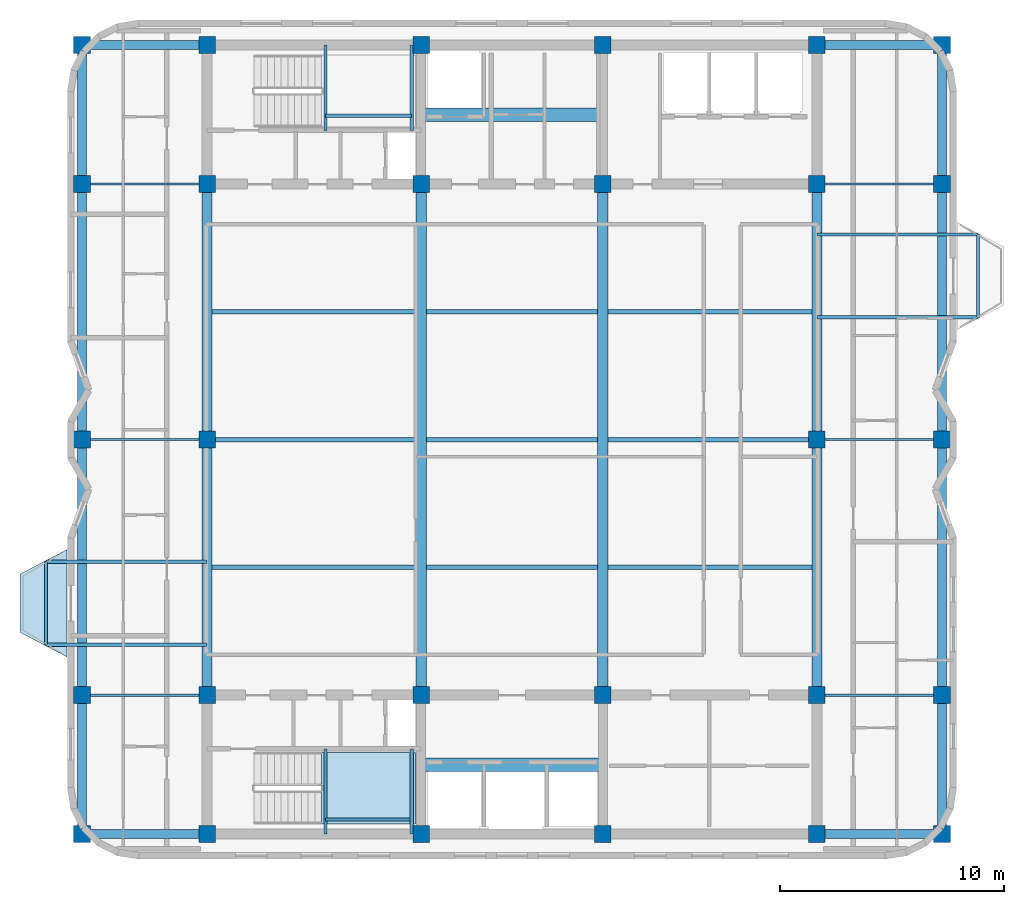
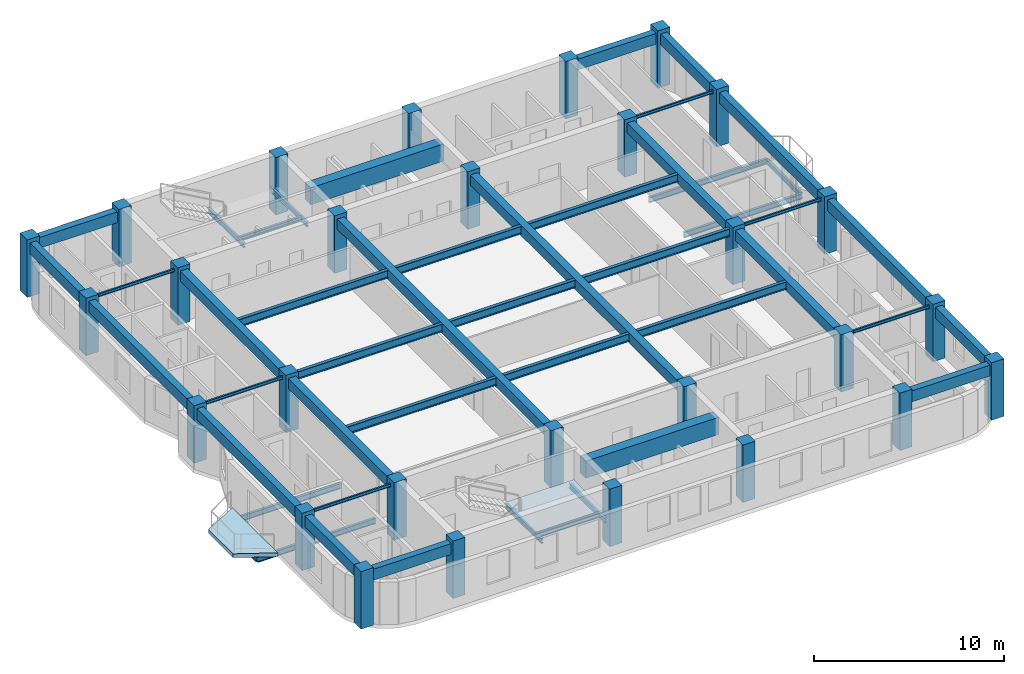
# One storey, part 1 of 9: 47 beams, 28 columns, 2 slabs, 1 element without a shape of its own.
"""IFC4 building model written with IfcOpenShell, lengths in metres."""

from ifc_helpers import new_model, si_unit, direction, frame, origin, origin_2d, place, context, subcontext, project, spatial, polyline, rectangle, i_section, outline, extrude, material, layer, layer_set, material_profile, profile_set, type_object, element, aggregate, save


model = new_model("IFC4")

# Units and contexts
model_context = context("Model", 3, precision=1e-05, world=origin(), true_north=direction((0.0, 1.0)))
body_context = subcontext(model_context, "Body", "Model", "MODEL_VIEW")
ifc_project = project(units=[si_unit("LENGTHUNIT", "METRE"), si_unit("AREAUNIT", "SQUARE_METRE"), si_unit("VOLUMEUNIT", "CUBIC_METRE"), si_unit("PLANEANGLEUNIT", "RADIAN"), si_unit("MASSUNIT", "GRAM", prefix="KILO")], contexts=[model_context])

# Site, building, storey
site_placement = place(None, origin())
site = spatial("IfcSite", under=ifc_project, at=site_placement, CompositionType="ELEMENT")
building_placement = place(site_placement, origin())
building = spatial("IfcBuilding", under=site, at=building_placement, Name="Svetorya Sky Lyceum", CompositionType="ELEMENT")
storey_placement = place(building_placement, frame((0.0, 0.0, 267.60009765625)))
storey = spatial("IfcBuildingStorey", under=building, at=storey_placement, Name="L67", CompositionType="ELEMENT", Elevation=267.60009765625)

# Columns
ifc_material_1 = material(Name="Concrete C40/50", Category="concrete")
ifc_material_profile_1 = material_profile(ifc_material_1, rectangle(XDim=0.75, YDim=0.75, at=origin_2d()), Name="RC COL 750x750")
ifc_profile_set_1 = profile_set([ifc_material_profile_1], Name="Concrete C40/50")
column_type = type_object("IfcColumnType", Name="COL-RC-750", PredefinedType="COLUMN", material=ifc_profile_set_1)
for number, where, z_axis, x_axis, name in (
    (1, (25.60009765625, 10.60009765625, 0.0), (0.0, 0.0, 1.0), (1.0, 0.0, 0.0), "L67 Core Column CS-11"),
    (2, (25.60009765625, 16.800048828125, 0.0), (0.0, 0.0, 1.0), (1.0, 0.0, 0.0), "L67 Core Column CS-12"),
    (3, (35.14990234375, 10.60009765625, 0.0), (0.0, 0.0, 1.0), (1.0, 0.0, 0.0), "L67 Core Column CS-21"),
    (4, (35.14990234375, 16.800048828125, 0.0), (0.0, 0.0, 1.0), (1.0, 0.0, 0.0), "L67 Core Column CS-22"),
    (5, (43.25, 10.60009765625, 0.0), (0.0, 0.0, 1.0), (1.0, 0.0, 0.0), "L67 Core Column CS-31"),
    (6, (43.25, 16.800048828125, 0.0), (0.0, 0.0, 1.0), (1.0, 0.0, 0.0), "L67 Core Column CS-32"),
    (7, (52.800048828125, 10.60009765625, 0.0), (0.0, 0.0, 1.0), (1.0, 0.0, 0.0), "L67 Core Column CS-41"),
    (8, (52.800048828125, 16.800048828125, 0.0), (0.0, 0.0, 1.0), (1.0, 0.0, 0.0), "L67 Core Column CS-42"),
    (9, (25.60009765625, 39.60009765625, 0.0), (0.0, 0.0, 1.0), (1.0, 0.0, 0.0), "L67 Core Column CN-11"),
    (10, (25.60009765625, 45.800048828125, 0.0), (0.0, 0.0, 1.0), (1.0, 0.0, 0.0), "L67 Core Column CN-12"),
    (11, (35.14990234375, 39.60009765625, 0.0), (0.0, 0.0, 1.0), (1.0, 0.0, 0.0), "L67 Core Column CN-21"),
    (12, (35.14990234375, 45.800048828125, 0.0), (0.0, 0.0, 1.0), (1.0, 0.0, 0.0), "L67 Core Column CN-22"),
    (13, (43.25, 39.60009765625, 0.0), (0.0, 0.0, 1.0), (1.0, 0.0, 0.0), "L67 Core Column CN-31"),
    (14, (43.25, 45.800048828125, 0.0), (0.0, 0.0, 1.0), (1.0, 0.0, 0.0), "L67 Core Column CN-32"),
    (15, (52.800048828125, 39.60009765625, 0.0), (0.0, 0.0, 1.0), (1.0, 0.0, 0.0), "L67 Core Column CN-41"),
    (16, (52.800048828125, 45.800048828125, 0.0), (0.0, 0.0, 1.0), (1.0, 0.0, 0.0), "L67 Core Column CN-42"),
    (17, (25.60009765625, 28.199951171875, 0.0), (0.0, 0.0, 1.0), (1.0, 0.0, 0.0), "L67 Core Column CM-W"),
    (18, (52.800048828125, 28.199951171875, 0.0), (0.0, 0.0, 1.0), (1.0, 0.0, 0.0), "L67 Core Column CM-E"),
    (19, (20.010009765625, 10.60009765625, 0.0), (0.0, 0.0, 1.0), (1.0, 0.0, 0.0), "L67 Perimeter Column W1"),
    (20, (58.389892578125, 10.60009765625, 0.0), (0.0, 0.0, 1.0), (1.0, 0.0, 0.0), "L67 Perimeter Column E1"),
    (21, (20.010009765625, 16.800048828125, 0.0), (0.0, 0.0, 1.0), (1.0, 0.0, 0.0), "L67 Perimeter Column W2"),
    (22, (58.389892578125, 16.800048828125, 0.0), (0.0, 0.0, 1.0), (1.0, 0.0, 0.0), "L67 Perimeter Column E2"),
    (23, (20.010009765625, 28.199951171875, 0.0), (0.0, 0.0, 1.0), (1.0, 0.0, 0.0), "L67 Perimeter Column W3"),
    (24, (58.389892578125, 28.199951171875, 0.0), (0.0, 0.0, 1.0), (1.0, 0.0, 0.0), "L67 Perimeter Column E3"),
    (25, (20.010009765625, 39.60009765625, 0.0), (0.0, 0.0, 1.0), (1.0, 0.0, 0.0), "L67 Perimeter Column W4"),
    (26, (58.389892578125, 39.60009765625, 0.0), (0.0, 0.0, 1.0), (1.0, 0.0, 0.0), "L67 Perimeter Column E4"),
    (27, (20.010009765625, 45.800048828125, 0.0), (0.0, 0.0, 1.0), (1.0, 0.0, 0.0), "L67 Perimeter Column W5"),
    (28, (58.389892578125, 45.800048828125, 0.0), (0.0, 0.0, 1.0), (1.0, 0.0, 0.0), "L67 Perimeter Column E5"),
):
    element("IfcColumn", number, at=place(storey_placement, frame(where, z_axis=z_axis, x_axis=x_axis)), inside=storey, type_object=column_type, Name=name, PredefinedType="COLUMN", context=body_context, shape_type="SweptSolid", body=[
        extrude(rectangle(XDim=0.75, YDim=0.75, at=origin_2d()), origin(), (0.0, 0.0, 1.0), 3.699951171875),
    ])

# Beams
ifc_material_2 = material(Name="Concrete C60/75", Category="concrete")
ifc_material_profile_2 = material_profile(ifc_material_2, rectangle(XDim=0.60009765625, YDim=1.10009765625, at=origin_2d()), Name="RC COUPLING 600x1100")
ifc_profile_set_2 = profile_set([ifc_material_profile_2], Name="Concrete C60/75")
beam_type_1 = type_object("IfcBeamType", Name="BM-CPL-1100", PredefinedType="LINTEL", material=ifc_profile_set_2)
for number, where, z_axis, x_axis, name in (
    (29, (35.14990234375, 13.699951171875, 2.89990234375), (1.0, 0.0, 0.0), (0.0, 1.0, 0.0), "L67 SC Core Coupling Beam"),
    (30, (35.14990234375, 42.699951171875, 2.89990234375), (1.0, 0.0, 0.0), (0.0, 1.0, 0.0), "L67 NC Core Coupling Beam"),
):
    element("IfcBeam", number, at=place(storey_placement, frame(where, z_axis=z_axis, x_axis=x_axis)), inside=storey, type_object=beam_type_1, Name=name, PredefinedType="LINTEL", context=body_context, shape_type="SweptSolid", body=[
        extrude(rectangle(XDim=0.60009765625, YDim=1.10009765625, at=origin_2d()), origin(), (0.0, 0.0, 1.0), 8.10009765625),
    ])
ifc_material_profile_3 = material_profile(ifc_material_1, rectangle(XDim=0.449951171875, YDim=0.64990234375, at=origin_2d()), Name="RC BEAM 450x650")
ifc_profile_set_3 = profile_set([ifc_material_profile_3], Name="Concrete C40/50")
beam_type_2 = type_object("IfcBeamType", Name="BM-RC-650", PredefinedType="BEAM", material=ifc_profile_set_3)
beam_1_placement = place(storey_placement, frame((25.60009765625, 16.800048828125, 3.125), z_axis=(0.0, 1.0, 0.0), x_axis=(-1.0, 0.0, 0.0)))
element("IfcBeam", 31, at=beam_1_placement, inside=storey, type_object=beam_type_2, Name="L67 Central Bay Primary Girder CG-1A", PredefinedType="BEAM", context=body_context, shape_type="SweptSolid", body=[
    extrude(rectangle(XDim=0.449951171875, YDim=0.64990234375, at=origin_2d()), origin(), (0.0, 0.0, 1.0), 11.39990234375),
])
beam_2_placement = place(storey_placement, frame((25.60009765625, 28.199951171875, 3.125), z_axis=(0.0, 1.0, 0.0), x_axis=(-1.0, 0.0, 0.0)))
element("IfcBeam", 32, at=beam_2_placement, inside=storey, type_object=beam_type_2, Name="L67 Central Bay Primary Girder CG-1B", PredefinedType="BEAM", context=body_context, shape_type="SweptSolid", body=[
    extrude(rectangle(XDim=0.449951171875, YDim=0.64990234375, at=origin_2d()), origin(), (0.0, 0.0, 1.0), 11.400146484375),
])
for number, where, z_axis, x_axis, name in (
    (33, (35.14990234375, 16.800048828125, 3.125), (0.0, 1.0, 0.0), (-1.0, 0.0, 0.0), "L67 Central Bay Primary Girder CG-2"),
    (34, (43.25, 16.800048828125, 3.125), (0.0, 1.0, 0.0), (-1.0, 0.0, 0.0), "L67 Central Bay Primary Girder CG-3"),
):
    element("IfcBeam", number, at=place(storey_placement, frame(where, z_axis=z_axis, x_axis=x_axis)), inside=storey, type_object=beam_type_2, Name=name, PredefinedType="BEAM", context=body_context, shape_type="SweptSolid", body=[
        extrude(rectangle(XDim=0.449951171875, YDim=0.64990234375, at=origin_2d()), origin(), (0.0, 0.0, 1.0), 22.800048828125),
    ])
beam_3_placement = place(storey_placement, frame((52.800048828125, 16.800048828125, 3.125), z_axis=(0.0, 1.0, 0.0), x_axis=(-1.0, 0.0, 0.0)))
element("IfcBeam", 35, at=beam_3_placement, inside=storey, type_object=beam_type_2, Name="L67 Central Bay Primary Girder CG-4A", PredefinedType="BEAM", context=body_context, shape_type="SweptSolid", body=[
    extrude(rectangle(XDim=0.449951171875, YDim=0.64990234375, at=origin_2d()), origin(), (0.0, 0.0, 1.0), 11.39990234375),
])
beam_4_placement = place(storey_placement, frame((52.800048828125, 28.199951171875, 3.125), z_axis=(0.0, 1.0, 0.0), x_axis=(-1.0, 0.0, 0.0)))
element("IfcBeam", 36, at=beam_4_placement, inside=storey, type_object=beam_type_2, Name="L67 Central Bay Primary Girder CG-4B", PredefinedType="BEAM", context=body_context, shape_type="SweptSolid", body=[
    extrude(rectangle(XDim=0.449951171875, YDim=0.64990234375, at=origin_2d()), origin(), (0.0, 0.0, 1.0), 11.400146484375),
])
ifc_material_3 = material(Name="Concrete C50/60", Category="concrete")
ifc_material_profile_4 = material_profile(ifc_material_3, rectangle(XDim=0.39990234375, YDim=0.699951171875, at=origin_2d()), Name="RC SPANDREL 400x700")
ifc_profile_set_4 = profile_set([ifc_material_profile_4], Name="Concrete C50/60")
beam_type_3 = type_object("IfcBeamType", Name="BM-SPN-700", PredefinedType="SPANDREL", material=ifc_profile_set_4)
for number, where, z_axis, x_axis, name in (
    (37, (20.010009765625, 10.60009765625, 3.099853515625), (1.0, 0.0, 0.0), (0.0, 1.0, 0.0), "L67 Tie Spandrel SW"),
    (38, (20.010009765625, 45.800048828125, 3.099853515625), (1.0, 0.0, 0.0), (0.0, 1.0, 0.0), "L67 Tie Spandrel NW"),
):
    element("IfcBeam", number, at=place(storey_placement, frame(where, z_axis=z_axis, x_axis=x_axis)), inside=storey, type_object=beam_type_3, Name=name, PredefinedType="SPANDREL", context=body_context, shape_type="SweptSolid", body=[
        extrude(rectangle(XDim=0.39990234375, YDim=0.699951171875, at=origin_2d()), origin(), (0.0, 0.0, 1.0), 5.590087890625),
    ])
for number, where, z_axis, x_axis, name in (
    (39, (52.800048828125, 10.60009765625, 3.099853515625), (1.0, 0.0, 0.0), (0.0, 1.0, 0.0), "L67 Tie Spandrel SE"),
    (40, (52.800048828125, 45.800048828125, 3.099853515625), (1.0, 0.0, 0.0), (0.0, 1.0, 0.0), "L67 Tie Spandrel NE"),
):
    element("IfcBeam", number, at=place(storey_placement, frame(where, z_axis=z_axis, x_axis=x_axis)), inside=storey, type_object=beam_type_3, Name=name, PredefinedType="SPANDREL", context=body_context, shape_type="SweptSolid", body=[
        extrude(rectangle(XDim=0.39990234375, YDim=0.699951171875, at=origin_2d()), origin(), (0.0, 0.0, 1.0), 5.58984375),
    ])
beam_5_placement = place(storey_placement, frame((20.010009765625, 10.60009765625, 3.099853515625), z_axis=(0.0, 1.0, 0.0), x_axis=(-1.0, 0.0, 0.0)))
element("IfcBeam", 41, at=beam_5_placement, inside=storey, type_object=beam_type_3, Name="L67 West Spandrel 1", PredefinedType="SPANDREL", context=body_context, shape_type="SweptSolid", body=[
    extrude(rectangle(XDim=0.39990234375, YDim=0.699951171875, at=origin_2d()), origin(), (0.0, 0.0, 1.0), 6.199951171875),
])
beam_6_placement = place(storey_placement, frame((20.010009765625, 16.800048828125, 3.099853515625), z_axis=(0.0, 1.0, 0.0), x_axis=(-1.0, 0.0, 0.0)))
element("IfcBeam", 42, at=beam_6_placement, inside=storey, type_object=beam_type_3, Name="L67 West Spandrel 2", PredefinedType="SPANDREL", context=body_context, shape_type="SweptSolid", body=[
    extrude(rectangle(XDim=0.39990234375, YDim=0.699951171875, at=origin_2d()), origin(), (0.0, 0.0, 1.0), 11.39990234375),
])
beam_7_placement = place(storey_placement, frame((20.010009765625, 28.199951171875, 3.099853515625), z_axis=(0.0, 1.0, 0.0), x_axis=(-1.0, 0.0, 0.0)))
element("IfcBeam", 43, at=beam_7_placement, inside=storey, type_object=beam_type_3, Name="L67 West Spandrel 3", PredefinedType="SPANDREL", context=body_context, shape_type="SweptSolid", body=[
    extrude(rectangle(XDim=0.39990234375, YDim=0.699951171875, at=origin_2d()), origin(), (0.0, 0.0, 1.0), 11.400146484375),
])
for number, where, z_axis, x_axis, name in (
    (44, (20.010009765625, 39.60009765625, 3.099853515625), (0.0, 1.0, 0.0), (-1.0, 0.0, 0.0), "L67 West Spandrel 4"),
    (45, (58.389892578125, 10.60009765625, 3.099853515625), (0.0, 1.0, 0.0), (-1.0, 0.0, 0.0), "L67 East Spandrel 1"),
):
    element("IfcBeam", number, at=place(storey_placement, frame(where, z_axis=z_axis, x_axis=x_axis)), inside=storey, type_object=beam_type_3, Name=name, PredefinedType="SPANDREL", context=body_context, shape_type="SweptSolid", body=[
        extrude(rectangle(XDim=0.39990234375, YDim=0.699951171875, at=origin_2d()), origin(), (0.0, 0.0, 1.0), 6.199951171875),
    ])
beam_8_placement = place(storey_placement, frame((58.389892578125, 16.800048828125, 3.099853515625), z_axis=(0.0, 1.0, 0.0), x_axis=(-1.0, 0.0, 0.0)))
element("IfcBeam", 46, at=beam_8_placement, inside=storey, type_object=beam_type_3, Name="L67 East Spandrel 2", PredefinedType="SPANDREL", context=body_context, shape_type="SweptSolid", body=[
    extrude(rectangle(XDim=0.39990234375, YDim=0.699951171875, at=origin_2d()), origin(), (0.0, 0.0, 1.0), 11.39990234375),
])
beam_9_placement = place(storey_placement, frame((58.389892578125, 28.199951171875, 3.099853515625), z_axis=(0.0, 1.0, 0.0), x_axis=(-1.0, 0.0, 0.0)))
element("IfcBeam", 47, at=beam_9_placement, inside=storey, type_object=beam_type_3, Name="L67 East Spandrel 3", PredefinedType="SPANDREL", context=body_context, shape_type="SweptSolid", body=[
    extrude(rectangle(XDim=0.39990234375, YDim=0.699951171875, at=origin_2d()), origin(), (0.0, 0.0, 1.0), 11.400146484375),
])
beam_10_placement = place(storey_placement, frame((58.389892578125, 39.60009765625, 3.099853515625), z_axis=(0.0, 1.0, 0.0), x_axis=(-1.0, 0.0, 0.0)))
element("IfcBeam", 48, at=beam_10_placement, inside=storey, type_object=beam_type_3, Name="L67 East Spandrel 4", PredefinedType="SPANDREL", context=body_context, shape_type="SweptSolid", body=[
    extrude(rectangle(XDim=0.39990234375, YDim=0.699951171875, at=origin_2d()), origin(), (0.0, 0.0, 1.0), 6.199951171875),
])
ifc_material_4 = material(Name="Steel S355", Category="steel")
ifc_material_profile_5 = material_profile(ifc_material_4, i_section(OverallWidth=0.10009765625, OverallDepth=0.199951171875, WebThickness=0.005615234375, FlangeThickness=0.008544921875, at=origin_2d()), Name="GOST 20B1")
ifc_profile_set_5 = profile_set([ifc_material_profile_5], Name="Steel S355")
beam_type_4 = type_object("IfcBeamType", Name="BM-STL-20B1", PredefinedType="JOIST", material=ifc_profile_set_5)
beam_11_placement = place(storey_placement, frame((20.010009765625, 16.800048828125, 3.349853515625), z_axis=(1.0, 0.0, 0.0), x_axis=(0.0, 1.0, 0.0)))
element("IfcBeam", 49, at=beam_11_placement, inside=storey, type_object=beam_type_4, Name="L67 West Wing Floor Joist W2", PredefinedType="JOIST", context=body_context, shape_type="SweptSolid", body=[
    extrude(i_section(OverallWidth=0.10009765625, OverallDepth=0.199951171875, WebThickness=0.005615234375, FlangeThickness=0.008544921875, at=origin_2d()), origin(), (0.0, 0.0, 1.0), 5.590087890625),
])
beam_12_placement = place(storey_placement, frame((52.800048828125, 16.800048828125, 3.349853515625), z_axis=(1.0, 0.0, 0.0), x_axis=(0.0, 1.0, 0.0)))
element("IfcBeam", 50, at=beam_12_placement, inside=storey, type_object=beam_type_4, Name="L67 East Wing Floor Joist E2", PredefinedType="JOIST", context=body_context, shape_type="SweptSolid", body=[
    extrude(i_section(OverallWidth=0.10009765625, OverallDepth=0.199951171875, WebThickness=0.005615234375, FlangeThickness=0.008544921875, at=origin_2d()), origin(), (0.0, 0.0, 1.0), 5.58984375),
])
beam_13_placement = place(storey_placement, frame((20.010009765625, 28.199951171875, 3.349853515625), z_axis=(1.0, 0.0, 0.0), x_axis=(0.0, 1.0, 0.0)))
element("IfcBeam", 51, at=beam_13_placement, inside=storey, type_object=beam_type_4, Name="L67 West Wing Floor Joist W3", PredefinedType="JOIST", context=body_context, shape_type="SweptSolid", body=[
    extrude(i_section(OverallWidth=0.10009765625, OverallDepth=0.199951171875, WebThickness=0.005615234375, FlangeThickness=0.008544921875, at=origin_2d()), origin(), (0.0, 0.0, 1.0), 5.590087890625),
])
beam_14_placement = place(storey_placement, frame((52.800048828125, 28.199951171875, 3.349853515625), z_axis=(1.0, 0.0, 0.0), x_axis=(0.0, 1.0, 0.0)))
element("IfcBeam", 52, at=beam_14_placement, inside=storey, type_object=beam_type_4, Name="L67 East Wing Floor Joist E3", PredefinedType="JOIST", context=body_context, shape_type="SweptSolid", body=[
    extrude(i_section(OverallWidth=0.10009765625, OverallDepth=0.199951171875, WebThickness=0.005615234375, FlangeThickness=0.008544921875, at=origin_2d()), origin(), (0.0, 0.0, 1.0), 5.58984375),
])
beam_15_placement = place(storey_placement, frame((20.010009765625, 39.60009765625, 3.349853515625), z_axis=(1.0, 0.0, 0.0), x_axis=(0.0, 1.0, 0.0)))
element("IfcBeam", 53, at=beam_15_placement, inside=storey, type_object=beam_type_4, Name="L67 West Wing Floor Joist W4", PredefinedType="JOIST", context=body_context, shape_type="SweptSolid", body=[
    extrude(i_section(OverallWidth=0.10009765625, OverallDepth=0.199951171875, WebThickness=0.005615234375, FlangeThickness=0.008544921875, at=origin_2d()), origin(), (0.0, 0.0, 1.0), 5.590087890625),
])
beam_16_placement = place(storey_placement, frame((52.800048828125, 39.60009765625, 3.349853515625), z_axis=(1.0, 0.0, 0.0), x_axis=(0.0, 1.0, 0.0)))
element("IfcBeam", 54, at=beam_16_placement, inside=storey, type_object=beam_type_4, Name="L67 East Wing Floor Joist E4", PredefinedType="JOIST", context=body_context, shape_type="SweptSolid", body=[
    extrude(i_section(OverallWidth=0.10009765625, OverallDepth=0.199951171875, WebThickness=0.005615234375, FlangeThickness=0.008544921875, at=origin_2d()), origin(), (0.0, 0.0, 1.0), 5.58984375),
])
ifc_material_profile_6 = material_profile(ifc_material_4, i_section(OverallWidth=0.14990234375, OverallDepth=0.299072265625, WebThickness=0.006591796875, FlangeThickness=0.010498046875, at=origin_2d()), Name="GOST 30B2")
ifc_profile_set_6 = profile_set([ifc_material_profile_6], Name="Steel S355")
beam_type_5 = type_object("IfcBeamType", Name="BM-STL-30B2", PredefinedType="JOIST", material=ifc_profile_set_6)
beam_17_placement = place(storey_placement, frame((18.409912109375, 19.050048828125, -0.424560546875), z_axis=(0.0, 1.0, 0.0), x_axis=(-1.0, 0.0, 0.0)))
element("IfcBeam", 55, at=beam_17_placement, inside=storey, type_object=beam_type_5, Name="L67 Balcony Edge Tie BAL-W1", PredefinedType="JOIST", context=body_context, shape_type="SweptSolid", body=[
    extrude(i_section(OverallWidth=0.14990234375, OverallDepth=0.299072265625, WebThickness=0.006591796875, FlangeThickness=0.010498046875, at=origin_2d()), origin(), (0.0, 0.0, 1.0), 3.699951171875),
])
beam_18_placement = place(storey_placement, frame((59.989990234375, 33.64990234375, -0.424560546875), z_axis=(0.0, 1.0, 0.0), x_axis=(-1.0, 0.0, 0.0)))
element("IfcBeam", 56, at=beam_18_placement, inside=storey, type_object=beam_type_5, Name="L67 Balcony Edge Tie BAL-E1", PredefinedType="JOIST", context=body_context, shape_type="SweptSolid", body=[
    extrude(i_section(OverallWidth=0.14990234375, OverallDepth=0.299072265625, WebThickness=0.006591796875, FlangeThickness=0.010498046875, at=origin_2d()), origin(), (0.0, 0.0, 1.0), 3.7001953125),
])
for number, where, z_axis, x_axis, name in (
    (57, (30.8798828125, 10.60009765625, 1.50048828125), (0.0, 1.0, 0.0), (-1.0, 0.0, 0.0), "L67 Stair ST-S Half-Landing Support Beam 75.1"),
    (58, (34.719970703125, 10.60009765625, 1.50048828125), (0.0, 1.0, 0.0), (-1.0, 0.0, 0.0), "L67 Stair ST-S Half-Landing Support Beam 75.2"),
):
    element("IfcBeam", number, at=place(storey_placement, frame(where, z_axis=z_axis, x_axis=x_axis)), inside=storey, type_object=beam_type_5, Name=name, PredefinedType="JOIST", context=body_context, shape_type="SweptSolid", body=[
        extrude(i_section(OverallWidth=0.14990234375, OverallDepth=0.299072265625, WebThickness=0.006591796875, FlangeThickness=0.010498046875, at=origin_2d()), origin(), (0.0, 0.0, 1.0), 3.7998046875),
    ])
beam_19_placement = place(storey_placement, frame((30.8798828125, 11.25, 1.50048828125), z_axis=(1.0, 0.0, 0.0), x_axis=(0.0, 1.0, 0.0)))
element("IfcBeam", 59, at=beam_19_placement, inside=storey, type_object=beam_type_5, Name="L67 Stair ST-S Half-Landing Cross Tie 75", PredefinedType="JOIST", context=body_context, shape_type="SweptSolid", body=[
    extrude(i_section(OverallWidth=0.14990234375, OverallDepth=0.299072265625, WebThickness=0.006591796875, FlangeThickness=0.010498046875, at=origin_2d()), origin(), (0.0, 0.0, 1.0), 3.840087890625),
])
for number, where, z_axis, x_axis, name in (
    (60, (30.8798828125, 42.0, 1.50048828125), (0.0, 1.0, 0.0), (-1.0, 0.0, 0.0), "L67 Stair ST-N Half-Landing Support Beam 75.1"),
    (61, (34.719970703125, 42.0, 1.50048828125), (0.0, 1.0, 0.0), (-1.0, 0.0, 0.0), "L67 Stair ST-N Half-Landing Support Beam 75.2"),
):
    element("IfcBeam", number, at=place(storey_placement, frame(where, z_axis=z_axis, x_axis=x_axis)), inside=storey, type_object=beam_type_5, Name=name, PredefinedType="JOIST", context=body_context, shape_type="SweptSolid", body=[
        extrude(i_section(OverallWidth=0.14990234375, OverallDepth=0.299072265625, WebThickness=0.006591796875, FlangeThickness=0.010498046875, at=origin_2d()), origin(), (0.0, 0.0, 1.0), 3.800048828125),
    ])
beam_20_placement = place(storey_placement, frame((30.8798828125, 42.64990234375, 1.50048828125), z_axis=(1.0, 0.0, 0.0), x_axis=(0.0, 1.0, 0.0)))
element("IfcBeam", 62, at=beam_20_placement, inside=storey, type_object=beam_type_5, Name="L67 Stair ST-N Half-Landing Cross Tie 75", PredefinedType="JOIST", context=body_context, shape_type="SweptSolid", body=[
    extrude(i_section(OverallWidth=0.14990234375, OverallDepth=0.299072265625, WebThickness=0.006591796875, FlangeThickness=0.010498046875, at=origin_2d()), origin(), (0.0, 0.0, 1.0), 3.840087890625),
])
ifc_material_profile_7 = material_profile(ifc_material_4, i_section(OverallWidth=0.155029296875, OverallDepth=0.34912109375, WebThickness=0.007080078125, FlangeThickness=0.011474609375, at=origin_2d()), Name="GOST 35B2")
ifc_profile_set_7 = profile_set([ifc_material_profile_7], Name="Steel S355")
beam_type_6 = type_object("IfcBeamType", Name="BM-STL-35B2", PredefinedType="JOIST", material=ifc_profile_set_7)
for number, where, z_axis, x_axis, name in (
    (63, (25.60009765625, 19.050048828125, -0.424560546875), (-1.0, 0.0, 0.0), (0.0, -1.0, 0.0), "L67 Balcony Cantilever Beam BAL-W1-1"),
    (64, (25.60009765625, 22.75, -0.424560546875), (-1.0, 0.0, 0.0), (0.0, -1.0, 0.0), "L67 Balcony Cantilever Beam BAL-W1-2"),
):
    element("IfcBeam", number, at=place(storey_placement, frame(where, z_axis=z_axis, x_axis=x_axis)), inside=storey, type_object=beam_type_6, Name=name, PredefinedType="JOIST", context=body_context, shape_type="SweptSolid", body=[
        extrude(i_section(OverallWidth=0.155029296875, OverallDepth=0.34912109375, WebThickness=0.007080078125, FlangeThickness=0.011474609375, at=origin_2d()), origin(), (0.0, 0.0, 1.0), 7.190185546875),
    ])
for number, where, z_axis, x_axis, name in (
    (65, (52.800048828125, 33.64990234375, -0.424560546875), (1.0, 0.0, 0.0), (0.0, 1.0, 0.0), "L67 Balcony Cantilever Beam BAL-E1-1"),
    (66, (52.800048828125, 37.35009765625, -0.424560546875), (1.0, 0.0, 0.0), (0.0, 1.0, 0.0), "L67 Balcony Cantilever Beam BAL-E1-2"),
):
    element("IfcBeam", number, at=place(storey_placement, frame(where, z_axis=z_axis, x_axis=x_axis)), inside=storey, type_object=beam_type_6, Name=name, PredefinedType="JOIST", context=body_context, shape_type="SweptSolid", body=[
        extrude(i_section(OverallWidth=0.155029296875, OverallDepth=0.34912109375, WebThickness=0.007080078125, FlangeThickness=0.011474609375, at=origin_2d()), origin(), (0.0, 0.0, 1.0), 7.18994140625),
    ])
ifc_material_profile_8 = material_profile(ifc_material_4, i_section(OverallWidth=0.198974609375, OverallDepth=0.498046875, WebThickness=0.010009765625, FlangeThickness=0.01611328125, at=origin_2d()), Name="GOST 50B2")
ifc_profile_set_8 = profile_set([ifc_material_profile_8], Name="Steel S355")
beam_type_7 = type_object("IfcBeamType", Name="BM-STL-50B2", PredefinedType="BEAM", material=ifc_profile_set_8)
beam_21_placement = place(storey_placement, frame((25.824951171875, 22.5, 3.200927734375), z_axis=(1.0, 0.0, 0.0), x_axis=(0.0, 1.0, 0.0)))
element("IfcBeam", 67, at=beam_21_placement, inside=storey, type_object=beam_type_7, Name="L67 Central Floor Joist CJ-1.1", PredefinedType="BEAM", context=body_context, shape_type="SweptSolid", body=[
    extrude(i_section(OverallWidth=0.198974609375, OverallDepth=0.498046875, WebThickness=0.010009765625, FlangeThickness=0.01611328125, at=origin_2d()), origin(), (0.0, 0.0, 1.0), 9.10009765625),
])
beam_22_placement = place(storey_placement, frame((35.375, 22.5, 3.200927734375), z_axis=(1.0, 0.0, 0.0), x_axis=(0.0, 1.0, 0.0)))
element("IfcBeam", 68, at=beam_22_placement, inside=storey, type_object=beam_type_7, Name="L67 Central Floor Joist CJ-1.2", PredefinedType="BEAM", context=body_context, shape_type="SweptSolid", body=[
    extrude(i_section(OverallWidth=0.198974609375, OverallDepth=0.498046875, WebThickness=0.010009765625, FlangeThickness=0.01611328125, at=origin_2d()), origin(), (0.0, 0.0, 1.0), 7.64990234375),
])
beam_23_placement = place(storey_placement, frame((43.47509765625, 22.5, 3.200927734375), z_axis=(1.0, 0.0, 0.0), x_axis=(0.0, 1.0, 0.0)))
element("IfcBeam", 69, at=beam_23_placement, inside=storey, type_object=beam_type_7, Name="L67 Central Floor Joist CJ-1.3", PredefinedType="BEAM", context=body_context, shape_type="SweptSolid", body=[
    extrude(i_section(OverallWidth=0.198974609375, OverallDepth=0.498046875, WebThickness=0.010009765625, FlangeThickness=0.01611328125, at=origin_2d()), origin(), (0.0, 0.0, 1.0), 9.099853515625),
])
beam_24_placement = place(storey_placement, frame((25.824951171875, 28.199951171875, 3.200927734375), z_axis=(1.0, 0.0, 0.0), x_axis=(0.0, 1.0, 0.0)))
element("IfcBeam", 70, at=beam_24_placement, inside=storey, type_object=beam_type_7, Name="L67 Central Floor Joist CJ-2.1", PredefinedType="BEAM", context=body_context, shape_type="SweptSolid", body=[
    extrude(i_section(OverallWidth=0.198974609375, OverallDepth=0.498046875, WebThickness=0.010009765625, FlangeThickness=0.01611328125, at=origin_2d()), origin(), (0.0, 0.0, 1.0), 9.10009765625),
])
beam_25_placement = place(storey_placement, frame((35.375, 28.199951171875, 3.200927734375), z_axis=(1.0, 0.0, 0.0), x_axis=(0.0, 1.0, 0.0)))
element("IfcBeam", 71, at=beam_25_placement, inside=storey, type_object=beam_type_7, Name="L67 Central Floor Joist CJ-2.2", PredefinedType="BEAM", context=body_context, shape_type="SweptSolid", body=[
    extrude(i_section(OverallWidth=0.198974609375, OverallDepth=0.498046875, WebThickness=0.010009765625, FlangeThickness=0.01611328125, at=origin_2d()), origin(), (0.0, 0.0, 1.0), 7.64990234375),
])
beam_26_placement = place(storey_placement, frame((43.47509765625, 28.199951171875, 3.200927734375), z_axis=(1.0, 0.0, 0.0), x_axis=(0.0, 1.0, 0.0)))
element("IfcBeam", 72, at=beam_26_placement, inside=storey, type_object=beam_type_7, Name="L67 Central Floor Joist CJ-2.3", PredefinedType="BEAM", context=body_context, shape_type="SweptSolid", body=[
    extrude(i_section(OverallWidth=0.198974609375, OverallDepth=0.498046875, WebThickness=0.010009765625, FlangeThickness=0.01611328125, at=origin_2d()), origin(), (0.0, 0.0, 1.0), 9.099853515625),
])
beam_27_placement = place(storey_placement, frame((25.824951171875, 33.89990234375, 3.200927734375), z_axis=(1.0, 0.0, 0.0), x_axis=(0.0, 1.0, 0.0)))
element("IfcBeam", 73, at=beam_27_placement, inside=storey, type_object=beam_type_7, Name="L67 Central Floor Joist CJ-3.1", PredefinedType="BEAM", context=body_context, shape_type="SweptSolid", body=[
    extrude(i_section(OverallWidth=0.198974609375, OverallDepth=0.498046875, WebThickness=0.010009765625, FlangeThickness=0.01611328125, at=origin_2d()), origin(), (0.0, 0.0, 1.0), 9.10009765625),
])
beam_28_placement = place(storey_placement, frame((35.375, 33.89990234375, 3.200927734375), z_axis=(1.0, 0.0, 0.0), x_axis=(0.0, 1.0, 0.0)))
element("IfcBeam", 74, at=beam_28_placement, inside=storey, type_object=beam_type_7, Name="L67 Central Floor Joist CJ-3.2", PredefinedType="BEAM", context=body_context, shape_type="SweptSolid", body=[
    extrude(i_section(OverallWidth=0.198974609375, OverallDepth=0.498046875, WebThickness=0.010009765625, FlangeThickness=0.01611328125, at=origin_2d()), origin(), (0.0, 0.0, 1.0), 7.64990234375),
])
beam_29_placement = place(storey_placement, frame((43.47509765625, 33.89990234375, 3.200927734375), z_axis=(1.0, 0.0, 0.0), x_axis=(0.0, 1.0, 0.0)))
element("IfcBeam", 75, at=beam_29_placement, inside=storey, type_object=beam_type_7, Name="L67 Central Floor Joist CJ-3.3", PredefinedType="BEAM", context=body_context, shape_type="SweptSolid", body=[
    extrude(i_section(OverallWidth=0.198974609375, OverallDepth=0.498046875, WebThickness=0.010009765625, FlangeThickness=0.01611328125, at=origin_2d()), origin(), (0.0, 0.0, 1.0), 9.099853515625),
])

# Slab
ifc_layer_1 = layer(ifc_material_1, 0.25)
ifc_layer_set_1 = layer_set([ifc_layer_1], Name="Concrete C40/50")
slab_type_1 = type_object("IfcSlabType", Name="SL-BAL-250", PredefinedType="FLOOR", material=ifc_layer_set_1)
slab_1_placement = place(storey_placement, frame((0.0, 0.0, -0.25)))
element("IfcSlab", 76, at=slab_1_placement, inside=storey, type_object=slab_type_1, Name="L67 Chamfered Loggia Balcony BAL-W1", PredefinedType="FLOOR", context=body_context, shape_type="SweptSolid", body=[
    extrude(outline(polyline([(19.35009765625, 18.5), (19.35009765625, 23.300048828125), (17.25, 22.199951171875), (17.25, 19.60009765625), (19.35009765625, 18.5)])), origin(), (0.0, 0.0, 1.0), 0.25),
])

# Stair, slab
stair_type = type_object("IfcStairType", Name="STR-ST-S", PredefinedType="HALF_TURN_STAIR", material=ifc_material_1)
stair_placement = place(storey_placement, origin())
stair = element("IfcStair", 77, at=stair_placement, inside=storey, type_object=stair_type, Name="L67 South Core Smoke-Free Exit Stair N2", PredefinedType="HALF_TURN_STAIR")
ifc_layer_2 = layer(ifc_material_1, 0.199951171875)
ifc_layer_set_2 = layer_set([ifc_layer_2], Name="Concrete C40/50")
slab_type_2 = type_object("IfcSlabType", Name="SL-STR-LAND-200", PredefinedType="LANDING", material=ifc_layer_set_2)
slab_2_placement = place(storey_placement, frame((0.0, 0.0, 1.64990234375)))
slab_2 = element("IfcSlab", 78, at=slab_2_placement, type_object=slab_type_2, Name="ST-S landing 1", PredefinedType="LANDING", context=body_context, shape_type="SweptSolid", body=[
    extrude(outline(polyline([(30.699951171875, 11.050048828125), (34.89990234375, 11.050048828125), (34.89990234375, 14.25), (30.699951171875, 14.25), (30.699951171875, 11.050048828125)])), origin(), (0.0, 0.0, 1.0), 0.199951171875),
])
aggregate(stair, [slab_2])

save(model, "model.ifc")
